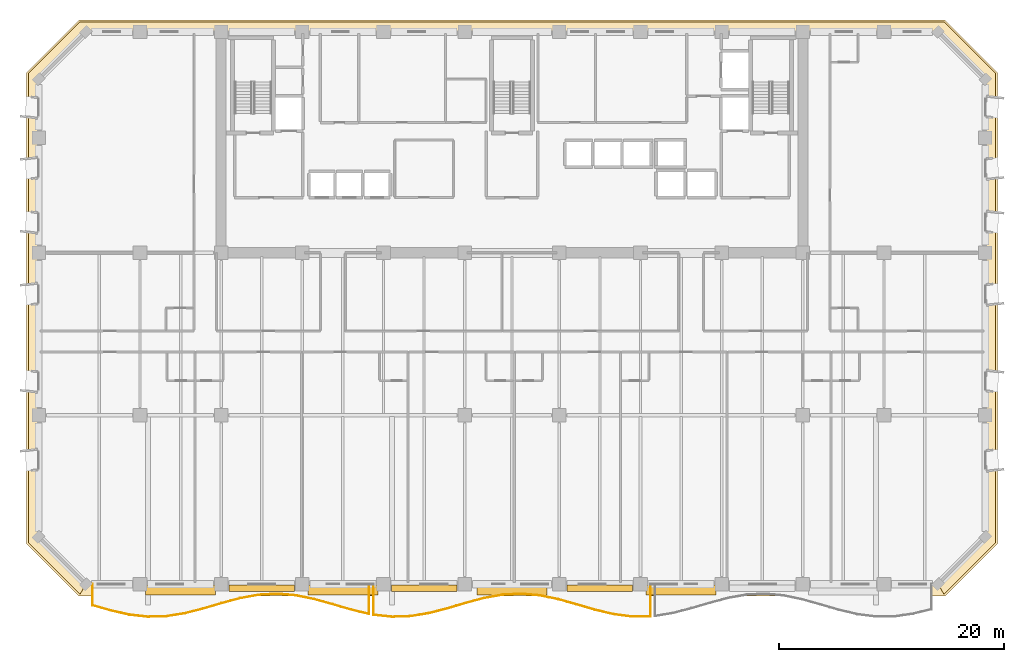
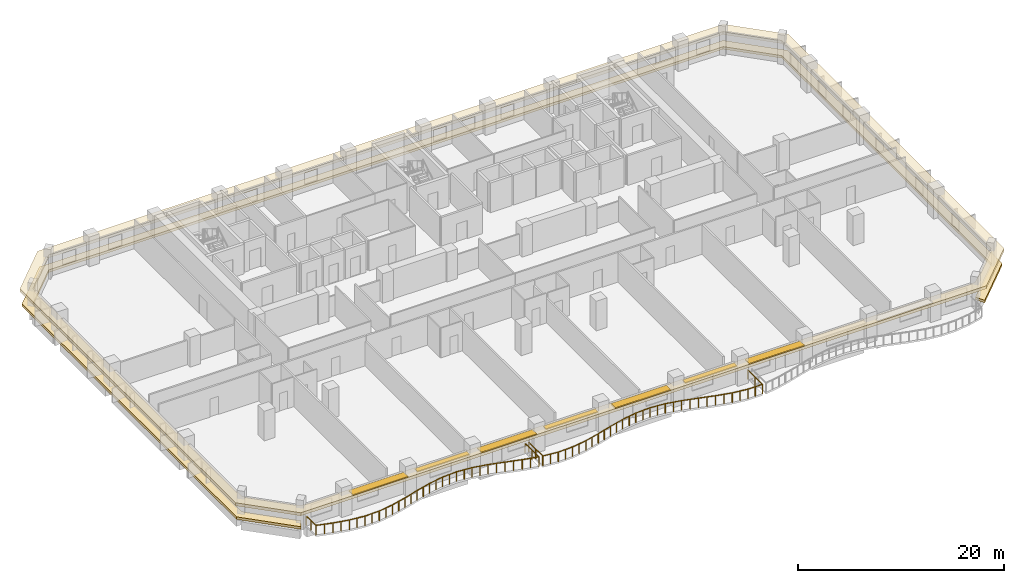
# One storey, part 11 of 14: 7 shading devices, 2 coverings, 2 railings.
"""IFC4 building model written with IfcOpenShell, lengths in metres."""

from ifc_helpers import new_model, si_unit, direction, frame, origin, origin_2d, place, context, subcontext, project, spatial, polyline, rectangle, outline, extrude, material, layer, layer_set, type_object, element, save


model = new_model("IFC4")

# Units and contexts
model_context = context("Model", 3, precision=1e-05, world=origin(), true_north=direction((0.0, 1.0)))
body_context = subcontext(model_context, "Body", "Model", "MODEL_VIEW")
ifc_project = project(units=[si_unit("LENGTHUNIT", "METRE"), si_unit("AREAUNIT", "SQUARE_METRE"), si_unit("VOLUMEUNIT", "CUBIC_METRE"), si_unit("PLANEANGLEUNIT", "RADIAN"), si_unit("MASSUNIT", "GRAM", prefix="KILO")], contexts=[model_context])

# Site, building, storey
site_placement = place(None, origin())
site = spatial("IfcSite", under=ifc_project, at=site_placement, CompositionType="ELEMENT")
building_placement = place(site_placement, origin())
building = spatial("IfcBuilding", under=site, at=building_placement, Name="Kaelvorn Grand Hotel", CompositionType="ELEMENT")
storey_placement = place(building_placement, frame((0.0, 0.0, 85.550048828125)))
storey = spatial("IfcBuildingStorey", under=building, at=storey_placement, Name="L19", CompositionType="ELEMENT", Elevation=85.550048828125)

# Coverings
ifc_material_1 = material(Name="Precast concrete C45/55", Category="concrete")
ifc_layer_1 = layer(ifc_material_1, 0.260009765625)
ifc_layer_set_1 = layer_set([ifc_layer_1], Name="Precast concrete C45/55")
covering_type_1 = type_object("IfcCoveringType", Name="COV-BAND-STREAMLINE-HEAD", PredefinedType="CLADDING", material=ifc_layer_set_1)
covering_1_placement = place(storey_placement, frame((0.0, 0.0, 2.179931640625)))
element("IfcCovering", 1, at=covering_1_placement, inside=storey, type_object=covering_type_1, Name="L19 Streamline Moderne Wraparound Horizontal Eyebrow Band", PredefinedType="CLADDING", context=body_context, shape_type="SweptSolid", body=[
    extrude(outline(polyline([(3.590087890625, -1.050048828125), (80.409912109375, -1.050048828125), (85.050048828125, 3.590087890625), (85.050048828125, 45.409912109375), (80.409912109375, 50.050048828125), (3.590087890625, 50.050048828125), (-1.050048828125, 45.409912109375), (-1.050048828125, 3.590087890625), (3.590087890625, -1.050048828125)]), holes=[polyline([(4.219970703125, 0.030029296875), (79.780029296875, 0.030029296875), (83.969970703125, 4.219970703125), (83.969970703125, 44.780029296875), (79.780029296875, 48.969970703125), (4.219970703125, 48.969970703125), (0.030029296875, 44.780029296875), (0.030029296875, 4.219970703125), (4.219970703125, 0.030029296875)])]), origin(), (0.0, 0.0, 1.0), 0.360107421875),
])
ifc_layer_2 = layer(ifc_material_1, 0.219970703125)
ifc_layer_set_2 = layer_set([ifc_layer_2], Name="Precast concrete C45/55")
covering_type_2 = type_object("IfcCoveringType", Name="COV-BAND-STREAMLINE-SILL", PredefinedType="CLADDING", material=ifc_layer_set_2)
covering_2_placement = place(storey_placement, frame((0.0, 0.0, 0.449951171875)))
element("IfcCovering", 2, at=covering_2_placement, inside=storey, type_object=covering_type_2, Name="L19 Streamline Moderne Wraparound Horizontal Sill Spandrel Band", PredefinedType="CLADDING", context=body_context, shape_type="SweptSolid", body=[
    extrude(outline(polyline([(80.3154296875, -0.8798828125), (84.8798828125, 3.6845703125), (84.8798828125, 45.3154296875), (80.3154296875, 49.8798828125), (3.6845703125, 49.8798828125), (-0.8798828125, 45.3154296875), (-0.8798828125, 3.6845703125), (3.6845703125, -0.8798828125), (4.217529296875, 0.030029296875), (0.030029296875, 4.217529296875), (0.030029296875, 44.782470703125), (4.217529296875, 48.969970703125), (79.782470703125, 48.969970703125), (83.969970703125, 44.782470703125), (83.969970703125, 4.217529296875), (79.782470703125, 0.030029296875), (80.3154296875, -0.8798828125)])), origin(), (0.0, 0.0, 1.0), 0.300048828125),
])

# Railings
ifc_material_2 = material(Name="Stainless Steel", Category="steel")
railing_type = type_object("IfcRailingType", Name="RL-BALC-1150", PredefinedType="BALUSTRADE", material=ifc_material_2)
railing_1_placement = place(storey_placement, frame((4.800048828125, 0.0, 0.0)))
element("IfcRailing", 3, at=railing_1_placement, inside=storey, type_object=railing_type, Name="L19 Scalloped Wave Balcony Balustrade GR1-1", PredefinedType="BALUSTRADE", context=body_context, shape_type="SweptSolid", body=[
    extrude(rectangle(XDim=0.048095703125, YDim=0.048095703125, at=origin_2d()), frame((0.0, 0.0, 1.1259765625), z_axis=(0.0, -1.0, 0.0), x_axis=(1.0, 0.0, 0.0)), (0.0, 0.0, 1.0), 1.875),
    extrude(rectangle(XDim=0.048095703125, YDim=0.048095703125, at=origin_2d()), frame((0.0, -1.875, 1.1259765625), z_axis=(0.961182099659, -0.275914789916, 0.0), x_axis=(0.275914789916, 0.961182099659, 0.0)), (0.0, 0.0, 1.0), 1.70166015625),
    extrude(rectangle(XDim=0.048095703125, YDim=0.048095703125, at=origin_2d()), frame((1.635498046875, -2.344482421875, 1.1259765625), z_axis=(0.975960285226, -0.21794843808, 0.0), x_axis=(0.21794843808, 0.975960285226, 0.0)), (0.0, 0.0, 1.0), 1.67578125),
    extrude(rectangle(XDim=0.048095703125, YDim=0.048095703125, at=origin_2d()), frame((3.27099609375, -2.709716796875, 1.1259765625), z_axis=(0.994020469758, -0.109193890409, 0.0), x_axis=(0.109193890409, 0.994020469758, 0.0)), (0.0, 0.0, 1.0), 1.6455078125),
    extrude(rectangle(XDim=0.048095703125, YDim=0.048095703125, at=origin_2d()), frame((4.90673828125, -2.889404296875, 1.1259765625), z_axis=(0.999614765722, 0.02775464195, 0.0), x_axis=(-0.02775464195, 0.999614765722, 0.0)), (0.0, 0.0, 1.0), 1.63623046875),
    extrude(rectangle(XDim=0.048095703125, YDim=0.048095703125, at=origin_2d()), frame((6.542236328125, -2.843994140625, 1.1259765625), z_axis=(0.987528788289, 0.157438534989, 0.0), x_axis=(-0.157438534989, 0.987528788289, 0.0)), (0.0, 0.0, 1.0), 1.65625),
    extrude(rectangle(XDim=0.048095703125, YDim=0.048095703125, at=origin_2d()), frame((8.177734375, -2.583251953125, 1.1259765625), z_axis=(0.968861629416, 0.247602792888, 0.0), x_axis=(-0.247602792888, 0.968861629416, 0.0)), (0.0, 0.0, 1.0), 1.68798828125),
    extrude(rectangle(XDim=0.048095703125, YDim=0.048095703125, at=origin_2d()), frame((9.813232421875, -2.165283203125, 1.1259765625), z_axis=(0.959105197492, 0.283049854522, 0.0), x_axis=(-0.283049854522, 0.959105197492, 0.0)), (0.0, 0.0, 1.0), 1.705322265625),
    extrude(rectangle(XDim=0.048095703125, YDim=0.048095703125, at=origin_2d()), frame((11.44873046875, -1.6826171875, 1.1259765625), z_axis=(0.965718666242, 0.25959094297, 0.0), x_axis=(-0.25959094297, 0.965718666242, 0.0)), (0.0, 0.0, 1.0), 1.69384765625),
    extrude(rectangle(XDim=0.048095703125, YDim=0.048095703125, at=origin_2d()), frame((13.08447265625, -1.242919921875, 1.1259765625), z_axis=(0.983662506195, 0.180022426122, 0.0), x_axis=(-0.180022426122, 0.983662506195, 0.0)), (0.0, 0.0, 1.0), 1.66259765625),
    extrude(rectangle(XDim=0.048095703125, YDim=0.048095703125, at=origin_2d()), frame((14.719970703125, -0.943603515625, 1.1259765625), z_axis=(0.998403431973, 0.056485281492, 0.0), x_axis=(-0.056485281492, 0.998403431973, 0.0)), (0.0, 0.0, 1.0), 1.63818359375),
    extrude(rectangle(XDim=0.048095703125, YDim=0.048095703125, at=origin_2d()), frame((16.35546875, -0.85107421875, 1.1259765625), z_axis=(0.996610094372, -0.082269798804, 0.0), x_axis=(0.082269798804, 0.996610094372, 0.0)), (0.0, 0.0, 1.0), 1.64111328125),
    extrude(rectangle(XDim=0.048095703125, YDim=0.048095703125, at=origin_2d()), frame((17.990966796875, -0.986083984375, 1.1259765625), z_axis=(0.979985536223, -0.199068703701, 0.0), x_axis=(0.199068703701, 0.979985536223, 0.0)), (0.0, 0.0, 1.0), 1.669189453125),
    extrude(rectangle(XDim=0.048095703125, YDim=0.048095703125, at=origin_2d()), frame((19.626708984375, -1.318359375, 1.1259765625), z_axis=(0.963251690304, -0.268600411627, 0.0), x_axis=(0.268600411627, 0.963251690304, 0.0)), (0.0, 0.0, 1.0), 1.697998046875),
    extrude(rectangle(XDim=0.048095703125, YDim=0.048095703125, at=origin_2d()), frame((21.26220703125, -1.7744140625, 1.1259765625), z_axis=(0.959763780104, -0.280808629498, 0.0), x_axis=(0.280808629498, 0.959763780104, 0.0)), (0.0, 0.0, 1.0), 1.7041015625),
    extrude(rectangle(XDim=0.048095703125, YDim=0.048095703125, at=origin_2d()), frame((22.897705078125, -2.2529296875, 1.1259765625), z_axis=(0.972148369978, -0.234366266236, 0.0), x_axis=(0.234366266236, 0.972148369978, 0.0)), (0.0, 0.0, 1.0), 1.682373046875),
    extrude(rectangle(XDim=0.048095703125, YDim=0.048095703125, at=origin_2d()), frame((24.533203125, -2.647216796875, 1.1259765625), z_axis=(0.0, 1.0, 0.0), x_axis=(-1.0, 0.0, 0.0)), (0.0, 0.0, 1.0), 2.647216796875),
    extrude(rectangle(XDim=0.0419921875, YDim=0.0419921875, at=origin_2d()), origin(), (0.0, 0.0, 1.0), 1.101806640625),
    extrude(rectangle(XDim=0.0419921875, YDim=0.0419921875, at=origin_2d()), frame((0.0, -0.9375, 0.0)), (0.0, 0.0, 1.0), 1.101806640625),
    extrude(rectangle(XDim=0.0419921875, YDim=0.0419921875, at=origin_2d()), frame((0.0, -1.875, 0.0)), (0.0, 0.0, 1.0), 1.101806640625),
    extrude(rectangle(XDim=0.0419921875, YDim=0.0419921875, at=origin_2d()), frame((0.81787109375, -2.10986328125, 0.0)), (0.0, 0.0, 1.0), 1.101806640625),
    extrude(rectangle(XDim=0.0419921875, YDim=0.0419921875, at=origin_2d()), frame((1.635498046875, -2.344482421875, 0.0)), (0.0, 0.0, 1.0), 1.101806640625),
    extrude(rectangle(XDim=0.0419921875, YDim=0.0419921875, at=origin_2d()), frame((2.453125, -2.527099609375, 0.0)), (0.0, 0.0, 1.0), 1.101806640625),
    extrude(rectangle(XDim=0.0419921875, YDim=0.0419921875, at=origin_2d()), frame((3.27099609375, -2.709716796875, 0.0)), (0.0, 0.0, 1.0), 1.101806640625),
    extrude(rectangle(XDim=0.0419921875, YDim=0.0419921875, at=origin_2d()), frame((4.0888671875, -2.799560546875, 0.0)), (0.0, 0.0, 1.0), 1.101806640625),
    extrude(rectangle(XDim=0.0419921875, YDim=0.0419921875, at=origin_2d()), frame((4.90673828125, -2.889404296875, 0.0)), (0.0, 0.0, 1.0), 1.101806640625),
    extrude(rectangle(XDim=0.0419921875, YDim=0.0419921875, at=origin_2d()), frame((5.724609375, -2.86669921875, 0.0)), (0.0, 0.0, 1.0), 1.101806640625),
    extrude(rectangle(XDim=0.0419921875, YDim=0.0419921875, at=origin_2d()), frame((6.542236328125, -2.843994140625, 0.0)), (0.0, 0.0, 1.0), 1.101806640625),
    extrude(rectangle(XDim=0.0419921875, YDim=0.0419921875, at=origin_2d()), frame((7.35986328125, -2.713623046875, 0.0)), (0.0, 0.0, 1.0), 1.101806640625),
    extrude(rectangle(XDim=0.0419921875, YDim=0.0419921875, at=origin_2d()), frame((8.177734375, -2.583251953125, 0.0)), (0.0, 0.0, 1.0), 1.101806640625),
    extrude(rectangle(XDim=0.0419921875, YDim=0.0419921875, at=origin_2d()), frame((8.99560546875, -2.374267578125, 0.0)), (0.0, 0.0, 1.0), 1.101806640625),
    extrude(rectangle(XDim=0.0419921875, YDim=0.0419921875, at=origin_2d()), frame((9.813232421875, -2.165283203125, 0.0)), (0.0, 0.0, 1.0), 1.101806640625),
    extrude(rectangle(XDim=0.0419921875, YDim=0.0419921875, at=origin_2d()), frame((10.630859375, -1.923828125, 0.0)), (0.0, 0.0, 1.0), 1.101806640625),
    extrude(rectangle(XDim=0.0419921875, YDim=0.0419921875, at=origin_2d()), frame((11.44873046875, -1.6826171875, 0.0)), (0.0, 0.0, 1.0), 1.101806640625),
    extrude(rectangle(XDim=0.0419921875, YDim=0.0419921875, at=origin_2d()), frame((12.2666015625, -1.462890625, 0.0)), (0.0, 0.0, 1.0), 1.101806640625),
    extrude(rectangle(XDim=0.0419921875, YDim=0.0419921875, at=origin_2d()), frame((13.08447265625, -1.242919921875, 0.0)), (0.0, 0.0, 1.0), 1.101806640625),
    extrude(rectangle(XDim=0.0419921875, YDim=0.0419921875, at=origin_2d()), frame((13.90234375, -1.09326171875, 0.0)), (0.0, 0.0, 1.0), 1.101806640625),
    extrude(rectangle(XDim=0.0419921875, YDim=0.0419921875, at=origin_2d()), frame((14.719970703125, -0.943603515625, 0.0)), (0.0, 0.0, 1.0), 1.101806640625),
    extrude(rectangle(XDim=0.0419921875, YDim=0.0419921875, at=origin_2d()), frame((15.53759765625, -0.8974609375, 0.0)), (0.0, 0.0, 1.0), 1.101806640625),
    extrude(rectangle(XDim=0.0419921875, YDim=0.0419921875, at=origin_2d()), frame((16.35546875, -0.85107421875, 0.0)), (0.0, 0.0, 1.0), 1.101806640625),
    extrude(rectangle(XDim=0.0419921875, YDim=0.0419921875, at=origin_2d()), frame((17.17333984375, -0.91845703125, 0.0)), (0.0, 0.0, 1.0), 1.101806640625),
    extrude(rectangle(XDim=0.0419921875, YDim=0.0419921875, at=origin_2d()), frame((17.990966796875, -0.986083984375, 0.0)), (0.0, 0.0, 1.0), 1.101806640625),
    extrude(rectangle(XDim=0.0419921875, YDim=0.0419921875, at=origin_2d()), frame((18.808837890625, -1.15234375, 0.0)), (0.0, 0.0, 1.0), 1.101806640625),
    extrude(rectangle(XDim=0.0419921875, YDim=0.0419921875, at=origin_2d()), frame((19.626708984375, -1.318359375, 0.0)), (0.0, 0.0, 1.0), 1.101806640625),
    extrude(rectangle(XDim=0.0419921875, YDim=0.0419921875, at=origin_2d()), frame((20.4443359375, -1.54638671875, 0.0)), (0.0, 0.0, 1.0), 1.101806640625),
    extrude(rectangle(XDim=0.0419921875, YDim=0.0419921875, at=origin_2d()), frame((21.26220703125, -1.7744140625, 0.0)), (0.0, 0.0, 1.0), 1.101806640625),
    extrude(rectangle(XDim=0.0419921875, YDim=0.0419921875, at=origin_2d()), frame((22.080078125, -2.013671875, 0.0)), (0.0, 0.0, 1.0), 1.101806640625),
    extrude(rectangle(XDim=0.0419921875, YDim=0.0419921875, at=origin_2d()), frame((22.897705078125, -2.2529296875, 0.0)), (0.0, 0.0, 1.0), 1.101806640625),
    extrude(rectangle(XDim=0.0419921875, YDim=0.0419921875, at=origin_2d()), frame((23.71533203125, -2.4501953125, 0.0)), (0.0, 0.0, 1.0), 1.101806640625),
    extrude(rectangle(XDim=0.0419921875, YDim=0.0419921875, at=origin_2d()), frame((24.533203125, -2.647216796875, 0.0)), (0.0, 0.0, 1.0), 1.101806640625),
    extrude(rectangle(XDim=0.0419921875, YDim=0.0419921875, at=origin_2d()), frame((24.533203125, -1.32373046875, 0.0)), (0.0, 0.0, 1.0), 1.101806640625),
    extrude(rectangle(XDim=0.0419921875, YDim=0.0419921875, at=origin_2d()), frame((24.533203125, 0.0, 0.0)), (0.0, 0.0, 1.0), 1.101806640625),
])
railing_2_placement = place(storey_placement, frame((29.7333984375, 0.0, 0.0)))
element("IfcRailing", 4, at=railing_2_placement, inside=storey, type_object=railing_type, Name="L19 Scalloped Wave Balcony Balustrade GR1-2", PredefinedType="BALUSTRADE", context=body_context, shape_type="SweptSolid", body=[
    extrude(rectangle(XDim=0.048095703125, YDim=0.048095703125, at=origin_2d()), frame((0.0, 0.0, 1.1259765625), z_axis=(0.0, -1.0, 0.0), x_axis=(1.0, 0.0, 0.0)), (0.0, 0.0, 1.0), 2.72021484375),
    extrude(rectangle(XDim=0.048095703125, YDim=0.048095703125, at=origin_2d()), frame((0.0, -2.72021484375, 1.1259765625), z_axis=(0.994538755279, -0.104367927297, 0.0), x_axis=(0.104367927297, 0.994538755279, 0.0)), (0.0, 0.0, 1.0), 1.64453125),
    extrude(rectangle(XDim=0.048095703125, YDim=0.048095703125, at=origin_2d()), frame((1.635498046875, -2.891845703125, 1.1259765625), z_axis=(0.999451346104, 0.033121092527, 0.0), x_axis=(-0.033121092527, 0.999451346104, 0.0)), (0.0, 0.0, 1.0), 1.636474609375),
    extrude(rectangle(XDim=0.048095703125, YDim=0.048095703125, at=origin_2d()), frame((3.27099609375, -2.837646484375, 1.1259765625), z_axis=(0.986832291042, 0.161746806324, 0.0), x_axis=(-0.161746806324, 0.986832291042, 0.0)), (0.0, 0.0, 1.0), 1.6572265625),
    extrude(rectangle(XDim=0.048095703125, YDim=0.048095703125, at=origin_2d()), frame((4.906494140625, -2.569580078125, 1.1259765625), z_axis=(0.968243477418, 0.250009136707, 0.0), x_axis=(-0.250009136707, 0.968243477418, 0.0)), (0.0, 0.0, 1.0), 1.689453125),
    extrude(rectangle(XDim=0.048095703125, YDim=0.048095703125, at=origin_2d()), frame((6.542236328125, -2.147216796875, 1.1259765625), z_axis=(0.959105197492, 0.283049854522, 0.0), x_axis=(-0.283049854522, 0.959105197492, 0.0)), (0.0, 0.0, 1.0), 1.705322265625),
    extrude(rectangle(XDim=0.048095703125, YDim=0.048095703125, at=origin_2d()), frame((8.177734375, -1.66455078125, 1.1259765625), z_axis=(0.966249302034, 0.257608785406, 0.0), x_axis=(-0.257608785406, 0.966249302034, 0.0)), (0.0, 0.0, 1.0), 1.692626953125),
    extrude(rectangle(XDim=0.048095703125, YDim=0.048095703125, at=origin_2d()), frame((9.813232421875, -1.228515625, 1.1259765625), z_axis=(0.984383042767, 0.176039839563, 0.0), x_axis=(-0.176039839563, 0.984383042767, 0.0)), (0.0, 0.0, 1.0), 1.661376953125),
    extrude(rectangle(XDim=0.048095703125, YDim=0.048095703125, at=origin_2d()), frame((11.44873046875, -0.93603515625, 1.1259765625), z_axis=(0.998684533852, 0.051275743231, 0.0), x_axis=(-0.051275743231, 0.998684533852, 0.0)), (0.0, 0.0, 1.0), 1.637939453125),
    extrude(rectangle(XDim=0.048095703125, YDim=0.048095703125, at=origin_2d()), frame((13.08447265625, -0.85205078125, 1.1259765625), z_axis=(0.996182895251, -0.087290544785, 0.0), x_axis=(0.087290544785, 0.996182895251, 0.0)), (0.0, 0.0, 1.0), 1.641845703125),
    extrude(rectangle(XDim=0.048095703125, YDim=0.048095703125, at=origin_2d()), frame((14.719970703125, -0.995361328125, 1.1259765625), z_axis=(0.979231407671, -0.202745777346, 0.0), x_axis=(0.202745777346, 0.979231407671, 0.0)), (0.0, 0.0, 1.0), 1.670166015625),
    extrude(rectangle(XDim=0.048095703125, YDim=0.048095703125, at=origin_2d()), frame((16.35546875, -1.333984375, 1.1259765625), z_axis=(0.962804134231, -0.270200294425, 0.0), x_axis=(0.270200294425, 0.962804134231, 0.0)), (0.0, 0.0, 1.0), 1.69873046875),
    extrude(rectangle(XDim=0.048095703125, YDim=0.048095703125, at=origin_2d()), frame((17.990966796875, -1.79296875, 1.1259765625), z_axis=(0.960006418895, -0.279977991421, 0.0), x_axis=(0.279977991421, 0.960006418895, 0.0)), (0.0, 0.0, 1.0), 1.703857421875),
    extrude(rectangle(XDim=0.048095703125, YDim=0.048095703125, at=origin_2d()), frame((19.626708984375, -2.27001953125, 1.1259765625), z_axis=(0.972806214685, -0.231620527306, 0.0), x_axis=(0.231620527306, 0.972806214685, 0.0)), (0.0, 0.0, 1.0), 1.68115234375),
    extrude(rectangle(XDim=0.048095703125, YDim=0.048095703125, at=origin_2d()), frame((21.26220703125, -2.659423828125, 1.1259765625), z_axis=(0.991462857149, -0.130389427847, 0.0), x_axis=(0.130389427847, 0.991462857149, 0.0)), (0.0, 0.0, 1.0), 1.649658203125),
    extrude(rectangle(XDim=0.048095703125, YDim=0.048095703125, at=origin_2d()), frame((22.897705078125, -2.87451171875, 1.1259765625), z_axis=(0.99999126505, 0.004179691808, 0.0), x_axis=(-0.004179691808, 0.99999126505, 0.0)), (0.0, 0.0, 1.0), 1.635498046875),
    extrude(rectangle(XDim=0.048095703125, YDim=0.048095703125, at=origin_2d()), frame((24.533203125, -2.86767578125, 1.1259765625), z_axis=(0.0, 1.0, 0.0), x_axis=(-1.0, 0.0, 0.0)), (0.0, 0.0, 1.0), 2.86767578125),
    extrude(rectangle(XDim=0.0419921875, YDim=0.0419921875, at=origin_2d()), origin(), (0.0, 0.0, 1.0), 1.101806640625),
    extrude(rectangle(XDim=0.0419921875, YDim=0.0419921875, at=origin_2d()), frame((0.0, -1.360107421875, 0.0)), (0.0, 0.0, 1.0), 1.101806640625),
    extrude(rectangle(XDim=0.0419921875, YDim=0.0419921875, at=origin_2d()), frame((0.0, -2.72021484375, 0.0)), (0.0, 0.0, 1.0), 1.101806640625),
    extrude(rectangle(XDim=0.0419921875, YDim=0.0419921875, at=origin_2d()), frame((0.81787109375, -2.80615234375, 0.0)), (0.0, 0.0, 1.0), 1.101806640625),
    extrude(rectangle(XDim=0.0419921875, YDim=0.0419921875, at=origin_2d()), frame((1.635498046875, -2.891845703125, 0.0)), (0.0, 0.0, 1.0), 1.101806640625),
    extrude(rectangle(XDim=0.0419921875, YDim=0.0419921875, at=origin_2d()), frame((2.453125, -2.86474609375, 0.0)), (0.0, 0.0, 1.0), 1.101806640625),
    extrude(rectangle(XDim=0.0419921875, YDim=0.0419921875, at=origin_2d()), frame((3.27099609375, -2.837646484375, 0.0)), (0.0, 0.0, 1.0), 1.101806640625),
    extrude(rectangle(XDim=0.0419921875, YDim=0.0419921875, at=origin_2d()), frame((4.0888671875, -2.70361328125, 0.0)), (0.0, 0.0, 1.0), 1.101806640625),
    extrude(rectangle(XDim=0.0419921875, YDim=0.0419921875, at=origin_2d()), frame((4.906494140625, -2.569580078125, 0.0)), (0.0, 0.0, 1.0), 1.101806640625),
    extrude(rectangle(XDim=0.0419921875, YDim=0.0419921875, at=origin_2d()), frame((5.724365234375, -2.3583984375, 0.0)), (0.0, 0.0, 1.0), 1.101806640625),
    extrude(rectangle(XDim=0.0419921875, YDim=0.0419921875, at=origin_2d()), frame((6.542236328125, -2.147216796875, 0.0)), (0.0, 0.0, 1.0), 1.101806640625),
    extrude(rectangle(XDim=0.0419921875, YDim=0.0419921875, at=origin_2d()), frame((7.35986328125, -1.90576171875, 0.0)), (0.0, 0.0, 1.0), 1.101806640625),
    extrude(rectangle(XDim=0.0419921875, YDim=0.0419921875, at=origin_2d()), frame((8.177734375, -1.66455078125, 0.0)), (0.0, 0.0, 1.0), 1.101806640625),
    extrude(rectangle(XDim=0.0419921875, YDim=0.0419921875, at=origin_2d()), frame((8.99560546875, -1.446533203125, 0.0)), (0.0, 0.0, 1.0), 1.101806640625),
    extrude(rectangle(XDim=0.0419921875, YDim=0.0419921875, at=origin_2d()), frame((9.813232421875, -1.228515625, 0.0)), (0.0, 0.0, 1.0), 1.101806640625),
    extrude(rectangle(XDim=0.0419921875, YDim=0.0419921875, at=origin_2d()), frame((10.630859375, -1.082275390625, 0.0)), (0.0, 0.0, 1.0), 1.101806640625),
    extrude(rectangle(XDim=0.0419921875, YDim=0.0419921875, at=origin_2d()), frame((11.44873046875, -0.93603515625, 0.0)), (0.0, 0.0, 1.0), 1.101806640625),
    extrude(rectangle(XDim=0.0419921875, YDim=0.0419921875, at=origin_2d()), frame((12.2666015625, -0.89404296875, 0.0)), (0.0, 0.0, 1.0), 1.101806640625),
    extrude(rectangle(XDim=0.0419921875, YDim=0.0419921875, at=origin_2d()), frame((13.08447265625, -0.85205078125, 0.0)), (0.0, 0.0, 1.0), 1.101806640625),
    extrude(rectangle(XDim=0.0419921875, YDim=0.0419921875, at=origin_2d()), frame((13.90234375, -0.923828125, 0.0)), (0.0, 0.0, 1.0), 1.101806640625),
    extrude(rectangle(XDim=0.0419921875, YDim=0.0419921875, at=origin_2d()), frame((14.719970703125, -0.995361328125, 0.0)), (0.0, 0.0, 1.0), 1.101806640625),
    extrude(rectangle(XDim=0.0419921875, YDim=0.0419921875, at=origin_2d()), frame((15.53759765625, -1.16455078125, 0.0)), (0.0, 0.0, 1.0), 1.101806640625),
    extrude(rectangle(XDim=0.0419921875, YDim=0.0419921875, at=origin_2d()), frame((16.35546875, -1.333984375, 0.0)), (0.0, 0.0, 1.0), 1.101806640625),
    extrude(rectangle(XDim=0.0419921875, YDim=0.0419921875, at=origin_2d()), frame((17.17333984375, -1.5634765625, 0.0)), (0.0, 0.0, 1.0), 1.101806640625),
    extrude(rectangle(XDim=0.0419921875, YDim=0.0419921875, at=origin_2d()), frame((17.990966796875, -1.79296875, 0.0)), (0.0, 0.0, 1.0), 1.101806640625),
    extrude(rectangle(XDim=0.0419921875, YDim=0.0419921875, at=origin_2d()), frame((18.808837890625, -2.031494140625, 0.0)), (0.0, 0.0, 1.0), 1.101806640625),
    extrude(rectangle(XDim=0.0419921875, YDim=0.0419921875, at=origin_2d()), frame((19.626708984375, -2.27001953125, 0.0)), (0.0, 0.0, 1.0), 1.101806640625),
    extrude(rectangle(XDim=0.0419921875, YDim=0.0419921875, at=origin_2d()), frame((20.4443359375, -2.46484375, 0.0)), (0.0, 0.0, 1.0), 1.101806640625),
    extrude(rectangle(XDim=0.0419921875, YDim=0.0419921875, at=origin_2d()), frame((21.26220703125, -2.659423828125, 0.0)), (0.0, 0.0, 1.0), 1.101806640625),
    extrude(rectangle(XDim=0.0419921875, YDim=0.0419921875, at=origin_2d()), frame((22.080078125, -2.76708984375, 0.0)), (0.0, 0.0, 1.0), 1.101806640625),
    extrude(rectangle(XDim=0.0419921875, YDim=0.0419921875, at=origin_2d()), frame((22.897705078125, -2.87451171875, 0.0)), (0.0, 0.0, 1.0), 1.101806640625),
    extrude(rectangle(XDim=0.0419921875, YDim=0.0419921875, at=origin_2d()), frame((23.71533203125, -2.87109375, 0.0)), (0.0, 0.0, 1.0), 1.101806640625),
    extrude(rectangle(XDim=0.0419921875, YDim=0.0419921875, at=origin_2d()), frame((24.533203125, -2.86767578125, 0.0)), (0.0, 0.0, 1.0), 1.101806640625),
    extrude(rectangle(XDim=0.0419921875, YDim=0.0419921875, at=origin_2d()), frame((24.533203125, -1.433837890625, 0.0)), (0.0, 0.0, 1.0), 1.101806640625),
    extrude(rectangle(XDim=0.0419921875, YDim=0.0419921875, at=origin_2d()), frame((24.533203125, 0.0, 0.0)), (0.0, 0.0, 1.0), 1.101806640625),
])

# Shading devices
ifc_layer_3 = layer(ifc_material_1, 0.1201171875)
ifc_layer_set_3 = layer_set([ifc_layer_3], Name="Precast concrete C45/55")
shading_device_type_1 = type_object("IfcShadingDeviceType", Name="SHD-SUNSHADE-550", PredefinedType="USERDEFINED", material=ifc_layer_set_3)
for number, where, z_axis, x_axis, name in (
    (5, (19.800048828125, -0.364990234375, 2.419921875), (0.0, 0.0, 1.0), (1.0, 0.0, 0.0), "L19 Horizontal Concrete Sunshade Band SS-03"),
    (6, (34.199951171875, -0.364990234375, 2.419921875), (0.0, 0.0, 1.0), (1.0, 0.0, 0.0), "L19 Horizontal Concrete Sunshade Band SS-05"),
    (7, (49.800048828125, -0.364990234375, 2.419921875), (0.0, 0.0, 1.0), (1.0, 0.0, 0.0), "L19 Horizontal Concrete Sunshade Band SS-07"),
):
    element("IfcShadingDevice", number, at=place(storey_placement, frame(where, z_axis=z_axis, x_axis=x_axis)), inside=storey, type_object=shading_device_type_1, Name=name, ObjectType="SUNSHADE", PredefinedType="USERDEFINED", context=body_context, shape_type="SweptSolid", body=[
        extrude(rectangle(XDim=5.800048828125, YDim=0.550048828125, at=origin_2d()), origin(), (0.0, 0.0, 1.0), 0.1201171875),
    ])
ifc_layer_4 = layer(ifc_material_1, 0.139892578125)
ifc_layer_set_4 = layer_set([ifc_layer_4], Name="Precast concrete C45/55")
shading_device_type_2 = type_object("IfcShadingDeviceType", Name="SHD-SUNSHADE-850", PredefinedType="USERDEFINED", material=ifc_layer_set_4)
for number, where, z_axis, x_axis, name in (
    (8, (12.60009765625, -0.514892578125, 2.41015625), (0.0, 0.0, 1.0), (1.0, 0.0, 0.0), "L19 Horizontal Concrete Sunshade Band SS-02"),
    (9, (27.0, -0.514892578125, 2.41015625), (0.0, 0.0, 1.0), (1.0, 0.0, 0.0), "L19 Horizontal Concrete Sunshade Band SS-04"),
    (10, (42.0, -0.514892578125, 2.41015625), (0.0, 0.0, 1.0), (1.0, 0.0, 0.0), "L19 Horizontal Concrete Sunshade Band SS-06"),
    (11, (57.0, -0.514892578125, 2.41015625), (0.0, 0.0, 1.0), (1.0, 0.0, 0.0), "L19 Horizontal Concrete Sunshade Band SS-08"),
):
    element("IfcShadingDevice", number, at=place(storey_placement, frame(where, z_axis=z_axis, x_axis=x_axis)), inside=storey, type_object=shading_device_type_2, Name=name, ObjectType="SUNSHADE", PredefinedType="USERDEFINED", context=body_context, shape_type="SweptSolid", body=[
        extrude(rectangle(XDim=6.199951171875, YDim=0.85009765625, at=origin_2d()), origin(), (0.0, 0.0, 1.0), 0.139892578125),
    ])

save(model, "model.ifc")
